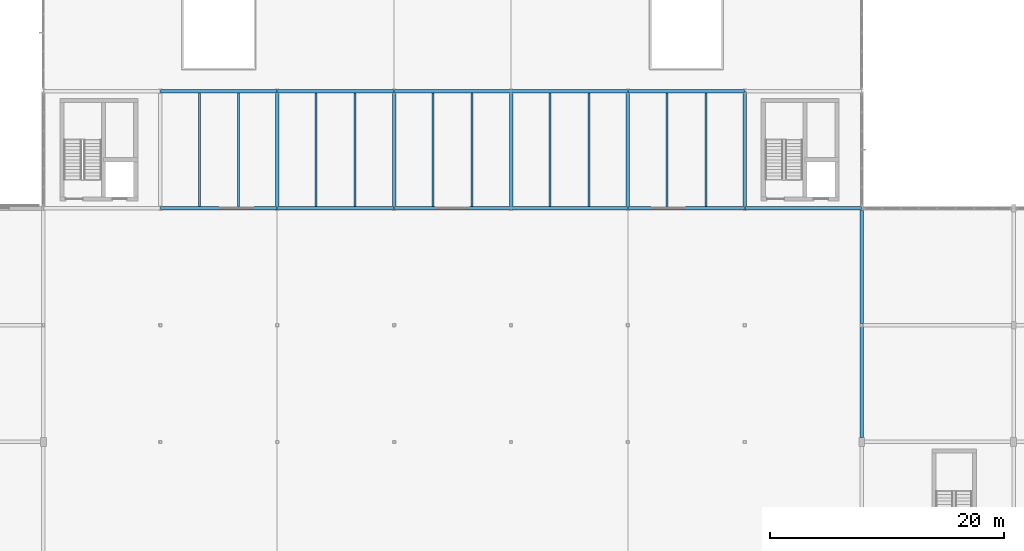
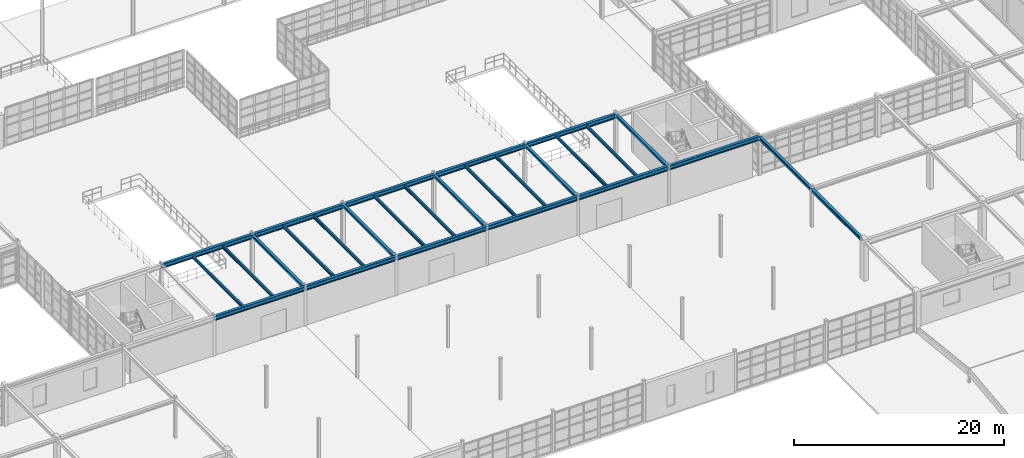
# One storey, part 41 of 139: 28 beams.
"""IFC4 building model written with IfcOpenShell, lengths in metres."""

from ifc_helpers import new_model, si_unit, direction, frame, origin, origin_2d, place, context, subcontext, project, spatial, i_section, extrude, material, material_profile, profile_set, type_object, element, save


model = new_model("IFC4")

# Units and contexts
model_context = context("Model", 3, precision=1e-05, world=origin(), true_north=direction((0.0, 1.0)))
body_context = subcontext(model_context, "Body", "Model", "MODEL_VIEW")
ifc_project = project(units=[si_unit("LENGTHUNIT", "METRE"), si_unit("AREAUNIT", "SQUARE_METRE"), si_unit("VOLUMEUNIT", "CUBIC_METRE"), si_unit("PLANEANGLEUNIT", "RADIAN"), si_unit("MASSUNIT", "GRAM", prefix="KILO"), si_unit("THERMODYNAMICTEMPERATUREUNIT", "KELVIN"), si_unit("POWERUNIT", "WATT")], contexts=[model_context])

# Site, building, storey
site_placement = place(None, origin())
site = spatial("IfcSite", under=ifc_project, at=site_placement, CompositionType="ELEMENT")
building_placement = place(site_placement, origin())
building = spatial("IfcBuilding", under=site, at=building_placement, Name="Korenveer Ferry Terminal", CompositionType="ELEMENT")
storey_placement = place(building_placement, frame((0.0, 0.0, 5.39990234375)))
storey = spatial("IfcBuildingStorey", under=building, at=storey_placement, Name="L01", CompositionType="ELEMENT", Elevation=5.39990234375)

# Beams
ifc_material = material(Name="Steel S355", Category="steel")
ifc_material_profile_1 = material_profile(ifc_material, i_section(OverallWidth=0.300048828125, OverallDepth=0.2900390625, WebThickness=0.008544921875, FlangeThickness=0.013916015625, FilletRadius=0.027099609375, at=origin_2d()), Name="HEA 300")
ifc_profile_set_1 = profile_set([ifc_material_profile_1], Name="Steel S355")
beam_type_1 = type_object("IfcBeamType", Name="STR-BM-HEA300", PredefinedType="BEAM", material=ifc_profile_set_1)
for number, where, z_axis, x_axis, name in (
    (1, (73.0, 50.02001953125, 4.405029296875), (0.0, 1.0, 0.0), (-1.0, 0.0, 0.0), "Primary Y girder BMY-L02-X73-Y50-60"),
    (2, (83.0, 50.02001953125, 4.405029296875), (0.0, 1.0, 0.0), (-1.0, 0.0, 0.0), "Primary Y girder BMY-L02-X83-Y50-60"),
    (3, (93.0, 50.02001953125, 4.405029296875), (0.0, 1.0, 0.0), (-1.0, 0.0, 0.0), "Primary Y girder BMY-L02-X93-Y50-60"),
    (4, (103.0, 50.02001953125, 4.405029296875), (0.0, 1.0, 0.0), (-1.0, 0.0, 0.0), "Primary Y girder BMY-L02-X103-Y50-60"),
    (5, (113.0, 50.02001953125, 4.405029296875), (0.0, 1.0, 0.0), (-1.0, 0.0, 0.0), "Primary Y girder BMY-L02-X113-Y50-60"),
):
    element("IfcBeam", number, at=place(storey_placement, frame(where, z_axis=z_axis, x_axis=x_axis)), inside=storey, type_object=beam_type_1, Name=name, PredefinedType="BEAM", context=body_context, shape_type="SweptSolid", body=[
        extrude(i_section(OverallWidth=0.300048828125, OverallDepth=0.2900390625, WebThickness=0.008544921875, FlangeThickness=0.013916015625, FilletRadius=0.027099609375, at=origin_2d()), origin(), (0.0, 0.0, 1.0), 9.9599609375),
    ])
ifc_material_profile_2 = material_profile(ifc_material, i_section(OverallWidth=0.300048828125, OverallDepth=0.360107421875, WebThickness=0.012451171875, FlangeThickness=0.0224609375, FilletRadius=0.027099609375, at=origin_2d()), Name="HEB 360")
ifc_profile_set_2 = profile_set([ifc_material_profile_2], Name="Steel S355")
beam_type_2 = type_object("IfcBeamType", Name="STR-BM-HEB360", PredefinedType="BEAM", material=ifc_profile_set_2)
beam_1_placement = place(storey_placement, frame((123.0, 30.39990234375, 4.3701171875), z_axis=(0.0, 1.0, 0.0), x_axis=(-1.0, 0.0, 0.0)))
element("IfcBeam", 6, at=beam_1_placement, inside=storey, type_object=beam_type_2, Name="Cloister pergola trellis girder BMPERG-X123-Y30-40", PredefinedType="BEAM", context=body_context, shape_type="SweptSolid", body=[
    extrude(i_section(OverallWidth=0.300048828125, OverallDepth=0.360107421875, WebThickness=0.012451171875, FlangeThickness=0.0224609375, FilletRadius=0.027099609375, at=origin_2d()), origin(), (0.0, 0.0, 1.0), 9.47509765625),
])
beam_2_placement = place(storey_placement, frame((123.0, 40.125, 4.3701171875), z_axis=(0.0, 1.0, 0.0), x_axis=(-1.0, 0.0, 0.0)))
element("IfcBeam", 7, at=beam_2_placement, inside=storey, type_object=beam_type_2, Name="Cloister pergola trellis girder BMPERG-X123-Y40-50", PredefinedType="BEAM", context=body_context, shape_type="SweptSolid", body=[
    extrude(i_section(OverallWidth=0.300048828125, OverallDepth=0.360107421875, WebThickness=0.012451171875, FlangeThickness=0.0224609375, FilletRadius=0.027099609375, at=origin_2d()), origin(), (0.0, 0.0, 1.0), 9.695068359375),
])
ifc_material_profile_3 = material_profile(ifc_material, i_section(OverallWidth=0.300048828125, OverallDepth=0.5, WebThickness=0.014404296875, FlangeThickness=0.028076171875, FilletRadius=0.027099609375, at=origin_2d()), Name="HEB 500")
ifc_profile_set_3 = profile_set([ifc_material_profile_3], Name="Steel S355")
beam_type_3 = type_object("IfcBeamType", Name="STR-BM-HEB500", PredefinedType="BEAM", material=ifc_profile_set_3)
for number, where, z_axis, x_axis, name in (
    (8, (63.02001953125, 50.0, 4.300048828125), (1.0, 0.0, 0.0), (0.0, 1.0, 0.0), "Primary X girder BMX-L02-X63-73-Y50"),
    (9, (73.02001953125, 50.0, 4.300048828125), (1.0, 0.0, 0.0), (0.0, 1.0, 0.0), "Primary X girder BMX-L02-X73-83-Y50"),
    (10, (83.02001953125, 50.0, 4.300048828125), (1.0, 0.0, 0.0), (0.0, 1.0, 0.0), "Primary X girder BMX-L02-X83-93-Y50"),
    (11, (93.02001953125, 50.0, 4.300048828125), (1.0, 0.0, 0.0), (0.0, 1.0, 0.0), "Primary X girder BMX-L02-X93-103-Y50"),
    (12, (103.02001953125, 50.0, 4.300048828125), (1.0, 0.0, 0.0), (0.0, 1.0, 0.0), "Primary X girder BMX-L02-X103-113-Y50"),
    (13, (113.02001953125, 50.0, 4.300048828125), (1.0, 0.0, 0.0), (0.0, 1.0, 0.0), "Primary X girder BMX-L02-X113-123-Y50"),
    (14, (63.02001953125, 60.0, 4.300048828125), (1.0, 0.0, 0.0), (0.0, 1.0, 0.0), "Primary X girder BMX-L02-X63-73-Y60"),
    (15, (73.02001953125, 60.0, 4.300048828125), (1.0, 0.0, 0.0), (0.0, 1.0, 0.0), "Primary X girder BMX-L02-X73-83-Y60"),
    (16, (83.02001953125, 60.0, 4.300048828125), (1.0, 0.0, 0.0), (0.0, 1.0, 0.0), "Primary X girder BMX-L02-X83-93-Y60"),
    (17, (93.02001953125, 60.0, 4.300048828125), (1.0, 0.0, 0.0), (0.0, 1.0, 0.0), "Primary X girder BMX-L02-X93-103-Y60"),
    (18, (103.02001953125, 60.0, 4.300048828125), (1.0, 0.0, 0.0), (0.0, 1.0, 0.0), "Primary X girder BMX-L02-X103-113-Y60"),
):
    element("IfcBeam", number, at=place(storey_placement, frame(where, z_axis=z_axis, x_axis=x_axis)), inside=storey, type_object=beam_type_3, Name=name, PredefinedType="BEAM", context=body_context, shape_type="SweptSolid", body=[
        extrude(i_section(OverallWidth=0.300048828125, OverallDepth=0.5, WebThickness=0.014404296875, FlangeThickness=0.028076171875, FilletRadius=0.027099609375, at=origin_2d()), origin(), (0.0, 0.0, 1.0), 9.9599609375),
    ])
ifc_material_profile_4 = material_profile(ifc_material, i_section(OverallWidth=0.169921875, OverallDepth=0.360107421875, WebThickness=0.008056640625, FlangeThickness=0.0126953125, FilletRadius=0.01806640625, at=origin_2d()), Name="IPE 360")
ifc_profile_set_4 = profile_set([ifc_material_profile_4], Name="Steel S355")
beam_type_4 = type_object("IfcBeamType", Name="STR-JST-IPE360", PredefinedType="JOIST", material=ifc_profile_set_4)
for number, where, z_axis, x_axis, name in (
    (19, (66.333251953125, 50.159912109375, 4.3701171875), (0.0, 1.0, 0.0), (-1.0, 0.0, 0.0), "Secondary composite joist JST-L02-X663-Y50-60"),
    (20, (69.666748046875, 50.159912109375, 4.3701171875), (0.0, 1.0, 0.0), (-1.0, 0.0, 0.0), "Secondary composite joist JST-L02-X697-Y50-60"),
    (21, (76.333251953125, 50.159912109375, 4.3701171875), (0.0, 1.0, 0.0), (-1.0, 0.0, 0.0), "Secondary composite joist JST-L02-X763-Y50-60"),
    (22, (79.666748046875, 50.159912109375, 4.3701171875), (0.0, 1.0, 0.0), (-1.0, 0.0, 0.0), "Secondary composite joist JST-L02-X797-Y50-60"),
    (23, (86.333251953125, 50.159912109375, 4.3701171875), (0.0, 1.0, 0.0), (-1.0, 0.0, 0.0), "Secondary composite joist JST-L02-X863-Y50-60"),
    (24, (89.666748046875, 50.159912109375, 4.3701171875), (0.0, 1.0, 0.0), (-1.0, 0.0, 0.0), "Secondary composite joist JST-L02-X897-Y50-60"),
    (25, (96.333251953125, 50.159912109375, 4.3701171875), (0.0, 1.0, 0.0), (-1.0, 0.0, 0.0), "Secondary composite joist JST-L02-X963-Y50-60"),
    (26, (99.666748046875, 50.159912109375, 4.3701171875), (0.0, 1.0, 0.0), (-1.0, 0.0, 0.0), "Secondary composite joist JST-L02-X997-Y50-60"),
    (27, (106.333251953125, 50.159912109375, 4.3701171875), (0.0, 1.0, 0.0), (-1.0, 0.0, 0.0), "Secondary composite joist JST-L02-X1063-Y50-60"),
    (28, (109.666748046875, 50.159912109375, 4.3701171875), (0.0, 1.0, 0.0), (-1.0, 0.0, 0.0), "Secondary composite joist JST-L02-X1097-Y50-60"),
):
    element("IfcBeam", number, at=place(storey_placement, frame(where, z_axis=z_axis, x_axis=x_axis)), inside=storey, type_object=beam_type_4, Name=name, PredefinedType="JOIST", context=body_context, shape_type="SweptSolid", body=[
        extrude(i_section(OverallWidth=0.169921875, OverallDepth=0.360107421875, WebThickness=0.008056640625, FlangeThickness=0.0126953125, FilletRadius=0.01806640625, at=origin_2d()), origin(), (0.0, 0.0, 1.0), 9.68017578125),
    ])

save(model, "model.ifc")
